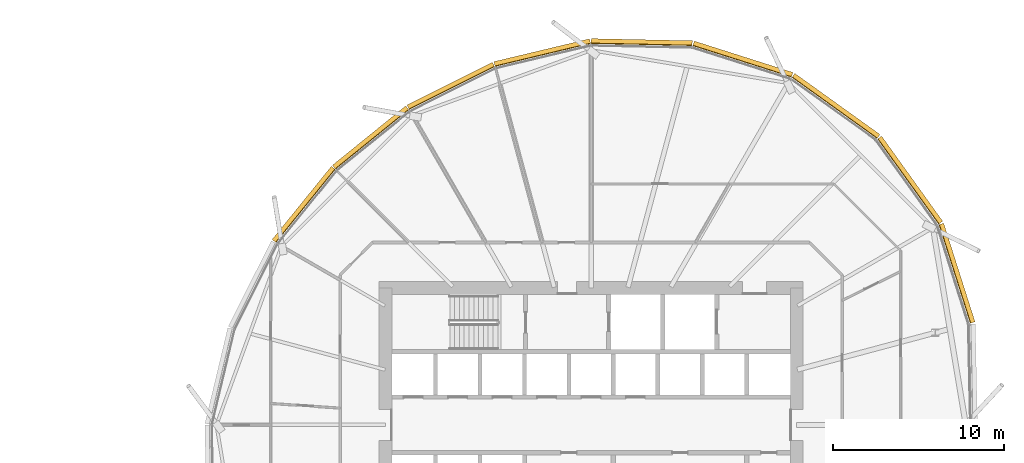
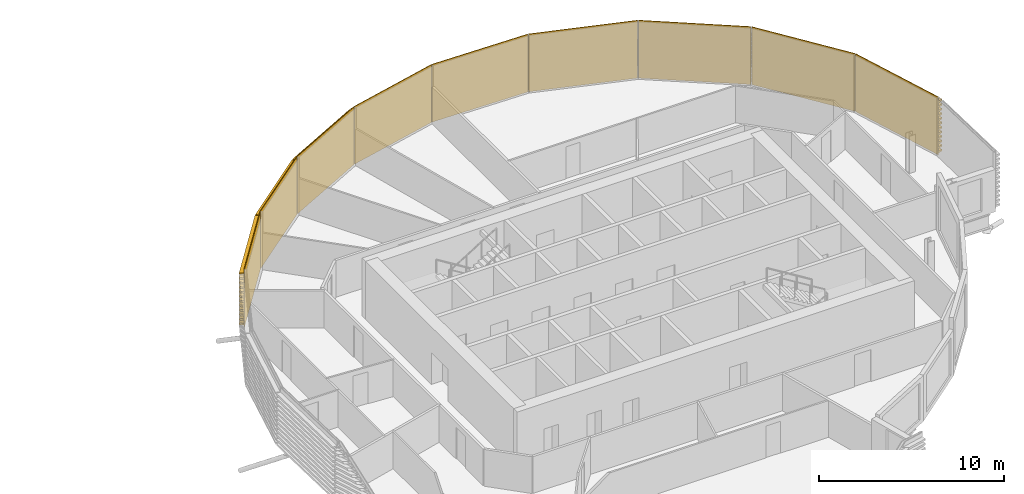
# One storey, part 39 of 39: 9 coverings.
"""IFC4 building model written with IfcOpenShell, lengths in metres."""

import ifcopenshell
import ifcopenshell.guid

model = None  # the IFC model being written
_history = None  # IfcOwnerHistory: only IFC2X3 demands one
_inside = {}  # id of a spatial element -> (the spatial element, [elements in it])
_under = {}  # id of a project, library or spatial element -> (it, [spatial elements below it])
_declared = {}  # id of a project -> (the project, [libraries it declares])
_typed = {}  # id of a type object -> (the type object, [elements of that type])
_made_of = {}  # id of a material, layer set ... -> (it, [elements and type objects made of it])


def new_model(schema):
    """Start an empty IFC model of exactly this schema.

    Asked for "IFC4X3", IfcOpenShell would pick the latest addendum, in which some entities
    have other attributes; the version numbers below select the first issue.
    IFC2X3 requires an IfcOwnerHistory on every rooted entity: one is made here for all.
    """
    global model, _history
    if schema == "IFC4X3":
        model = ifcopenshell.file(schema_version=(4, 3, 0, 0))
    else:
        model = ifcopenshell.file(schema=schema)
    _inside.clear()
    _under.clear()
    _declared.clear()
    _typed.clear()
    _made_of.clear()
    _history = None
    if model.schema == "IFC2X3":
        org = make("IfcOrganization", Name="unknown")
        user = make(
            "IfcPersonAndOrganization",
            ThePerson=make("IfcPerson", FamilyName="unknown"),
            TheOrganization=org,
        )
        app = make(
            "IfcApplication",
            ApplicationDeveloper=org,
            Version="unknown",
            ApplicationFullName="unknown",
            ApplicationIdentifier="unknown",
        )
        _history = make(
            "IfcOwnerHistory",
            OwningUser=user,
            OwningApplication=app,
            ChangeAction="ADDED",
            CreationDate=0,
        )
    return model


def make(cls, **values):
    """One entity of the class cls with the attributes given. An attribute that is None is left unset."""
    return model.create_entity(
        cls, **{name: value for name, value in values.items() if value is not None}
    )


def rooted(cls, **values):
    """An entity with a GlobalId (a new one), such as an element, a storey or a relation."""
    return make(cls, GlobalId=ifcopenshell.guid.new(), OwnerHistory=_history, **values)


def si_unit(unit_type, name, prefix=None):
    """IfcSIUnit, for example si_unit("LENGTHUNIT", "METRE", prefix="MILLI")."""
    return make("IfcSIUnit", UnitType=unit_type, Prefix=prefix, Name=name)


def assignment(units):
    """IfcUnitAssignment: the units of a project."""
    return None if units is None else make("IfcUnitAssignment", Units=units)


def point(xyz):
    """IfcCartesianPoint."""
    return None if xyz is None else make("IfcCartesianPoint", Coordinates=xyz)


def direction(xyz):
    """IfcDirection."""
    return None if xyz is None else make("IfcDirection", DirectionRatios=xyz)


def frame(location, z_axis=None, x_axis=None):
    """IfcAxis2Placement3D, a coordinate frame: its origin and axes. An axis left out is left unset."""
    return make(
        "IfcAxis2Placement3D",
        Location=point(location),
        Axis=direction(z_axis),
        RefDirection=direction(x_axis),
    )


def origin():
    """The frame at (0, 0, 0) with its axes left unset."""
    return frame((0.0, 0.0, 0.0))


def place(relative_to, where):
    """IfcLocalPlacement: puts the frame where relative to a parent placement (None: the world)."""
    return make(
        "IfcLocalPlacement", PlacementRelTo=relative_to, RelativePlacement=where
    )


def context(
    kind, dimensions, precision=None, world=None, true_north=None, identifier=None
):
    """IfcGeometricRepresentationContext, for example the 3D "Model" context."""
    return make(
        "IfcGeometricRepresentationContext",
        ContextIdentifier=identifier,
        ContextType=kind,
        CoordinateSpaceDimension=dimensions,
        Precision=precision,
        WorldCoordinateSystem=world,
        TrueNorth=true_north,
    )


def subcontext(parent, identifier, kind, view, scale=None):
    """IfcGeometricRepresentationSubContext, for example "Body" below "Model"."""
    return make(
        "IfcGeometricRepresentationSubContext",
        ContextIdentifier=identifier,
        ContextType=kind,
        ParentContext=parent,
        TargetScale=scale,
        TargetView=view,
    )


def project(units=None, contexts=None):
    """IfcProject with its units and contexts."""
    return rooted(
        "IfcProject",
        Name="project",
        RepresentationContexts=contexts,
        UnitsInContext=assignment(units),
    )


def spatial(cls, under=None, at=None, **own):
    """A site, building, storey or space (cls), placed at a placement, below another one or the project."""
    s = rooted(cls, ObjectPlacement=at, **own)
    if under is not None:
        _under.setdefault(under.id(), (under, []))[1].append(s)
    return s


def polyline(points):
    """IfcPolyline through the points."""
    return make("IfcPolyline", Points=[point(p) for p in points])


def outline(outer, holes=None, kind="AREA"):
    """IfcArbitraryClosedProfileDef: a profile drawn as a closed curve; with holes, ...WithVoids."""
    if holes is None:
        return make("IfcArbitraryClosedProfileDef", ProfileType=kind, OuterCurve=outer)
    return make(
        "IfcArbitraryProfileDefWithVoids",
        ProfileType=kind,
        OuterCurve=outer,
        InnerCurves=holes,
    )


def extrude(swept, where, along, depth):
    """IfcExtrudedAreaSolid: the profile swept, set in the frame where, extruded along a direction by depth."""
    return make(
        "IfcExtrudedAreaSolid",
        SweptArea=swept,
        Position=where,
        ExtrudedDirection=direction(along),
        Depth=depth,
    )


def shape(context_of_items, identifier, shape_type, items):
    """IfcShapeRepresentation: the items that make up one representation, for example the "Body"."""
    return make(
        "IfcShapeRepresentation",
        ContextOfItems=context_of_items,
        RepresentationIdentifier=identifier,
        RepresentationType=shape_type,
        Items=items,
    )


def material(Name=None, Category=None):
    """IfcMaterial."""
    return make("IfcMaterial", Name=Name, Category=Category)


def material_profile(
    of_material, cross_section, Name=None, Category=None, Priority=None
):
    """IfcMaterialProfile: a cross section and its material."""
    return make(
        "IfcMaterialProfile",
        Name=Name,
        Material=of_material,
        Profile=cross_section,
        Priority=Priority,
        Category=Category,
    )


def profile_set(profiles, Name=None, composite=None):
    """IfcMaterialProfileSet."""
    return make(
        "IfcMaterialProfileSet",
        Name=Name,
        MaterialProfiles=profiles,
        CompositeProfile=composite,
    )


def made_of(thing, what):
    """Note that an element or type object is made of a material, layer set ...; save() writes the relation."""
    if what is not None:
        _made_of.setdefault(what.id(), (what, []))[1].append(thing)
    return thing


def type_object(cls, material=None, **own):
    """A type object (cls), such as IfcWallType, which elements share."""
    return made_of(rooted(cls, **own), material)


def element(
    cls,
    number,
    at=None,
    inside=None,
    cuts=None,
    type_object=None,
    material=None,
    context=None,
    identifier="Body",
    shape_type=None,
    held_by="IfcProductDefinitionShape",
    body=None,
    shapes=None,
    **own,
):
    """One element of the class cls, such as IfcWall. Its Tag is "e" and its number.

    at: its placement. inside: the storey or other place that contains it. cuts: it is an
    opening in that element (IfcRelVoidsElement). A single representation is given by context,
    identifier, shape_type and body (its items); several are given by shapes. held_by: the class
    of the entity that holds the representations. save() writes the other relations.
    """
    e = rooted(cls, Tag="e%d" % number, ObjectPlacement=at, **own)
    if body is not None:
        shapes = [shape(context, identifier, shape_type, body)]
    if shapes is not None:
        e.Representation = make(held_by, Representations=shapes)
    if inside is not None:
        _inside.setdefault(inside.id(), (inside, []))[1].append(e)
    if cuts is not None:
        rooted(
            "IfcRelVoidsElement", RelatingBuildingElement=cuts, RelatedOpeningElement=e
        )
    if type_object is not None:
        _typed.setdefault(type_object.id(), (type_object, []))[1].append(e)
    return made_of(e, material)


def aggregate(whole, parts):
    """IfcRelAggregates: a whole, such as a stair, and the parts it consists of."""
    return rooted("IfcRelAggregates", RelatingObject=whole, RelatedObjects=parts)


def save(model, path):
    """Write the relations noted so far, then the file.

    IfcRelAggregates (storeys below a building ...), IfcRelContainedInSpatialStructure (elements
    in a storey), IfcRelDefinesByType, IfcRelAssociatesMaterial and IfcRelDeclares: one each for
    every whole, place, type object, material and project.
    """
    for whole, parts in _under.values():
        aggregate(whole, parts)
    for where, things in _inside.values():
        rooted(
            "IfcRelContainedInSpatialStructure",
            RelatedElements=things,
            RelatingStructure=where,
        )
    for kind, things in _typed.values():
        rooted("IfcRelDefinesByType", RelatedObjects=things, RelatingType=kind)
    for what, things in _made_of.values():
        rooted("IfcRelAssociatesMaterial", RelatedObjects=things, RelatingMaterial=what)
    for by, libraries in _declared.values():
        rooted("IfcRelDeclares", RelatingContext=by, RelatedDefinitions=libraries)
    model.write(path)


model = new_model("IFC4")

# Units and contexts
model_context = context("Model", 3, precision=1e-05, world=origin(), true_north=direction((0.0, 1.0)))
body_context = subcontext(model_context, "Body", "Model", "MODEL_VIEW")
ifc_project = project(units=[si_unit("LENGTHUNIT", "METRE"), si_unit("AREAUNIT", "SQUARE_METRE"), si_unit("VOLUMEUNIT", "CUBIC_METRE"), si_unit("PLANEANGLEUNIT", "RADIAN"), si_unit("MASSUNIT", "GRAM", prefix="KILO")], contexts=[model_context])

# Site, building, storey
site_placement = place(None, origin())
site = spatial("IfcSite", under=ifc_project, at=site_placement, CompositionType="ELEMENT")
building_placement = place(site_placement, origin())
building = spatial("IfcBuilding", under=site, at=building_placement, Name="Rimbun Link Towers", CompositionType="ELEMENT")
storey_placement = place(building_placement, frame((0.0, 0.0, 100.60009765625)))
storey = spatial("IfcBuildingStorey", under=building, at=storey_placement, Name="L24", CompositionType="ELEMENT", Elevation=100.60009765625)

# Coverings
ifc_material = material(Name="Terracotta", Category="masonry")
ifc_material_profile = material_profile(ifc_material, outline(polyline([(0.123046875, 0.0), (0.1630859375, 0.0), (0.1630859375, 0.10009765625), (0.423095703125, 0.10009765625), (0.423095703125, 0.219970703125), (0.1630859375, 0.219970703125), (0.1630859375, 0.39990234375), (0.423095703125, 0.39990234375), (0.423095703125, 0.52001953125), (0.1630859375, 0.52001953125), (0.1630859375, 0.699951171875), (0.423095703125, 0.699951171875), (0.423095703125, 0.820068359375), (0.1630859375, 0.820068359375), (0.1630859375, 1.0), (0.423095703125, 1.0), (0.423095703125, 1.1201171875), (0.1630859375, 1.1201171875), (0.1630859375, 1.300048828125), (0.423095703125, 1.300048828125), (0.423095703125, 1.419921875), (0.1630859375, 1.419921875), (0.1630859375, 1.60009765625), (0.423095703125, 1.60009765625), (0.423095703125, 1.719970703125), (0.1630859375, 1.719970703125), (0.1630859375, 1.89990234375), (0.423095703125, 1.89990234375), (0.423095703125, 2.02001953125), (0.1630859375, 2.02001953125), (0.1630859375, 2.199951171875), (0.423095703125, 2.199951171875), (0.423095703125, 2.320068359375), (0.1630859375, 2.320068359375), (0.1630859375, 2.5), (0.423095703125, 2.5), (0.423095703125, 2.6201171875), (0.1630859375, 2.6201171875), (0.1630859375, 2.800048828125), (0.423095703125, 2.800048828125), (0.423095703125, 2.919921875), (0.1630859375, 2.919921875), (0.1630859375, 3.10009765625), (0.423095703125, 3.10009765625), (0.423095703125, 3.219970703125), (0.1630859375, 3.219970703125), (0.1630859375, 3.39990234375), (0.423095703125, 3.39990234375), (0.423095703125, 3.52001953125), (0.1630859375, 3.52001953125), (0.1630859375, 3.800048828125), (0.123046875, 3.800048828125), (0.123046875, 0.0)])), Name="BAGUETTE 120X300")
ifc_profile_set = profile_set([ifc_material_profile], Name="Terracotta")
covering_type = type_object("IfcCoveringType", Name="TERRACOTTA BAGUETTE 120X300 H3800", PredefinedType="CLADDING", material=ifc_profile_set)
covering_1_placement = place(storey_placement, frame((43.398193359375, 20.175537109375, 0.0), z_axis=(0.812479009167, -0.582990445602, 0.0), x_axis=(0.582990445602, 0.812479009167, 0.0)))
element("IfcCovering", 1, at=covering_1_placement, inside=storey, type_object=covering_type, Name="TERRACOTTA BAGUETTE", PredefinedType="CLADDING", context=body_context, shape_type="SweptSolid", body=[
    extrude(outline(polyline([(0.123046875, 0.0), (0.1630859375, 0.0), (0.1630859375, 0.10009765625), (0.423095703125, 0.10009765625), (0.423095703125, 0.219970703125), (0.1630859375, 0.219970703125), (0.1630859375, 0.39990234375), (0.423095703125, 0.39990234375), (0.423095703125, 0.52001953125), (0.1630859375, 0.52001953125), (0.1630859375, 0.699951171875), (0.423095703125, 0.699951171875), (0.423095703125, 0.820068359375), (0.1630859375, 0.820068359375), (0.1630859375, 1.0), (0.423095703125, 1.0), (0.423095703125, 1.1201171875), (0.1630859375, 1.1201171875), (0.1630859375, 1.300048828125), (0.423095703125, 1.300048828125), (0.423095703125, 1.419921875), (0.1630859375, 1.419921875), (0.1630859375, 1.60009765625), (0.423095703125, 1.60009765625), (0.423095703125, 1.719970703125), (0.1630859375, 1.719970703125), (0.1630859375, 1.89990234375), (0.423095703125, 1.89990234375), (0.423095703125, 2.02001953125), (0.1630859375, 2.02001953125), (0.1630859375, 2.199951171875), (0.423095703125, 2.199951171875), (0.423095703125, 2.320068359375), (0.1630859375, 2.320068359375), (0.1630859375, 2.5), (0.423095703125, 2.5), (0.423095703125, 2.6201171875), (0.1630859375, 2.6201171875), (0.1630859375, 2.800048828125), (0.423095703125, 2.800048828125), (0.423095703125, 2.919921875), (0.1630859375, 2.919921875), (0.1630859375, 3.10009765625), (0.423095703125, 3.10009765625), (0.423095703125, 3.219970703125), (0.1630859375, 3.219970703125), (0.1630859375, 3.39990234375), (0.423095703125, 3.39990234375), (0.423095703125, 3.52001953125), (0.1630859375, 3.52001953125), (0.1630859375, 3.800048828125), (0.123046875, 3.800048828125), (0.123046875, 0.0)])), origin(), (0.0, 0.0, 1.0), 6.11083984375),
])
covering_2_placement = place(storey_placement, frame((37.646240234375, 22.0048828125, 0.0), z_axis=(0.952965082114, -0.303080108671, 0.0), x_axis=(0.303080108671, 0.952965082114, 0.0)))
element("IfcCovering", 2, at=covering_2_placement, inside=storey, type_object=covering_type, Name="TERRACOTTA BAGUETTE", PredefinedType="CLADDING", context=body_context, shape_type="SweptSolid", body=[
    extrude(outline(polyline([(0.123046875, 0.0), (0.1630859375, 0.0), (0.1630859375, 0.10009765625), (0.423095703125, 0.10009765625), (0.423095703125, 0.219970703125), (0.1630859375, 0.219970703125), (0.1630859375, 0.39990234375), (0.423095703125, 0.39990234375), (0.423095703125, 0.52001953125), (0.1630859375, 0.52001953125), (0.1630859375, 0.699951171875), (0.423095703125, 0.699951171875), (0.423095703125, 0.820068359375), (0.1630859375, 0.820068359375), (0.1630859375, 1.0), (0.423095703125, 1.0), (0.423095703125, 1.1201171875), (0.1630859375, 1.1201171875), (0.1630859375, 1.300048828125), (0.423095703125, 1.300048828125), (0.423095703125, 1.419921875), (0.1630859375, 1.419921875), (0.1630859375, 1.60009765625), (0.423095703125, 1.60009765625), (0.423095703125, 1.719970703125), (0.1630859375, 1.719970703125), (0.1630859375, 1.89990234375), (0.423095703125, 1.89990234375), (0.423095703125, 2.02001953125), (0.1630859375, 2.02001953125), (0.1630859375, 2.199951171875), (0.423095703125, 2.199951171875), (0.423095703125, 2.320068359375), (0.1630859375, 2.320068359375), (0.1630859375, 2.5), (0.423095703125, 2.5), (0.423095703125, 2.6201171875), (0.1630859375, 2.6201171875), (0.1630859375, 2.800048828125), (0.423095703125, 2.800048828125), (0.423095703125, 2.919921875), (0.1630859375, 2.919921875), (0.1630859375, 3.10009765625), (0.423095703125, 3.10009765625), (0.423095703125, 3.219970703125), (0.1630859375, 3.219970703125), (0.1630859375, 3.39990234375), (0.423095703125, 3.39990234375), (0.423095703125, 3.52001953125), (0.1630859375, 3.52001953125), (0.1630859375, 3.800048828125), (0.123046875, 3.800048828125), (0.123046875, 0.0)])), origin(), (0.0, 0.0, 1.0), 6.035888671875),
])
covering_3_placement = place(storey_placement, frame((31.75, 22.12890625, 0.0), z_axis=(0.999778851952, -0.021029674001, 0.0), x_axis=(0.021029674001, 0.999778851952, 0.0)))
element("IfcCovering", 3, at=covering_3_placement, inside=storey, type_object=covering_type, Name="TERRACOTTA BAGUETTE", PredefinedType="CLADDING", context=body_context, shape_type="SweptSolid", body=[
    extrude(outline(polyline([(0.123046875, 0.0), (0.1630859375, 0.0), (0.1630859375, 0.10009765625), (0.423095703125, 0.10009765625), (0.423095703125, 0.219970703125), (0.1630859375, 0.219970703125), (0.1630859375, 0.39990234375), (0.423095703125, 0.39990234375), (0.423095703125, 0.52001953125), (0.1630859375, 0.52001953125), (0.1630859375, 0.699951171875), (0.423095703125, 0.699951171875), (0.423095703125, 0.820068359375), (0.1630859375, 0.820068359375), (0.1630859375, 1.0), (0.423095703125, 1.0), (0.423095703125, 1.1201171875), (0.1630859375, 1.1201171875), (0.1630859375, 1.300048828125), (0.423095703125, 1.300048828125), (0.423095703125, 1.419921875), (0.1630859375, 1.419921875), (0.1630859375, 1.60009765625), (0.423095703125, 1.60009765625), (0.423095703125, 1.719970703125), (0.1630859375, 1.719970703125), (0.1630859375, 1.89990234375), (0.423095703125, 1.89990234375), (0.423095703125, 2.02001953125), (0.1630859375, 2.02001953125), (0.1630859375, 2.199951171875), (0.423095703125, 2.199951171875), (0.423095703125, 2.320068359375), (0.1630859375, 2.320068359375), (0.1630859375, 2.5), (0.423095703125, 2.5), (0.423095703125, 2.6201171875), (0.1630859375, 2.6201171875), (0.1630859375, 2.800048828125), (0.423095703125, 2.800048828125), (0.423095703125, 2.919921875), (0.1630859375, 2.919921875), (0.1630859375, 3.10009765625), (0.423095703125, 3.10009765625), (0.423095703125, 3.219970703125), (0.1630859375, 3.219970703125), (0.1630859375, 3.39990234375), (0.423095703125, 3.39990234375), (0.423095703125, 3.52001953125), (0.1630859375, 3.52001953125), (0.1630859375, 3.800048828125), (0.123046875, 3.800048828125), (0.123046875, 0.0)])), origin(), (0.0, 0.0, 1.0), 5.8974609375),
])
covering_4_placement = place(storey_placement, frame((26.177490234375, 20.79638671875, 0.0), z_axis=(0.972580358329, 0.23256707977, 0.0), x_axis=(-0.23256707977, 0.972580358329, 0.0)))
element("IfcCovering", 4, at=covering_4_placement, inside=storey, type_object=covering_type, Name="TERRACOTTA BAGUETTE", PredefinedType="CLADDING", context=body_context, shape_type="SweptSolid", body=[
    extrude(outline(polyline([(0.123046875, 0.0), (0.1630859375, 0.0), (0.1630859375, 0.10009765625), (0.423095703125, 0.10009765625), (0.423095703125, 0.219970703125), (0.1630859375, 0.219970703125), (0.1630859375, 0.39990234375), (0.423095703125, 0.39990234375), (0.423095703125, 0.52001953125), (0.1630859375, 0.52001953125), (0.1630859375, 0.699951171875), (0.423095703125, 0.699951171875), (0.423095703125, 0.820068359375), (0.1630859375, 0.820068359375), (0.1630859375, 1.0), (0.423095703125, 1.0), (0.423095703125, 1.1201171875), (0.1630859375, 1.1201171875), (0.1630859375, 1.300048828125), (0.423095703125, 1.300048828125), (0.423095703125, 1.419921875), (0.1630859375, 1.419921875), (0.1630859375, 1.60009765625), (0.423095703125, 1.60009765625), (0.423095703125, 1.719970703125), (0.1630859375, 1.719970703125), (0.1630859375, 1.89990234375), (0.423095703125, 1.89990234375), (0.423095703125, 2.02001953125), (0.1630859375, 2.02001953125), (0.1630859375, 2.199951171875), (0.423095703125, 2.199951171875), (0.423095703125, 2.320068359375), (0.1630859375, 2.320068359375), (0.1630859375, 2.5), (0.423095703125, 2.5), (0.423095703125, 2.6201171875), (0.1630859375, 2.6201171875), (0.1630859375, 2.800048828125), (0.423095703125, 2.800048828125), (0.423095703125, 2.919921875), (0.1630859375, 2.919921875), (0.1630859375, 3.10009765625), (0.423095703125, 3.10009765625), (0.423095703125, 3.219970703125), (0.1630859375, 3.219970703125), (0.1630859375, 3.39990234375), (0.423095703125, 3.39990234375), (0.423095703125, 3.52001953125), (0.1630859375, 3.52001953125), (0.1630859375, 3.800048828125), (0.123046875, 3.800048828125), (0.123046875, 0.0)])), origin(), (0.0, 0.0, 1.0), 5.7294921875),
])
covering_5_placement = place(storey_placement, frame((21.189453125, 18.291259765625, 0.0), z_axis=(0.893629725807, 0.448804983432, 0.0), x_axis=(-0.448804983432, 0.893629725807, 0.0)))
element("IfcCovering", 5, at=covering_5_placement, inside=storey, type_object=covering_type, Name="TERRACOTTA BAGUETTE", PredefinedType="CLADDING", context=body_context, shape_type="SweptSolid", body=[
    extrude(outline(polyline([(0.123046875, 0.0), (0.1630859375, 0.0), (0.1630859375, 0.10009765625), (0.423095703125, 0.10009765625), (0.423095703125, 0.219970703125), (0.1630859375, 0.219970703125), (0.1630859375, 0.39990234375), (0.423095703125, 0.39990234375), (0.423095703125, 0.52001953125), (0.1630859375, 0.52001953125), (0.1630859375, 0.699951171875), (0.423095703125, 0.699951171875), (0.423095703125, 0.820068359375), (0.1630859375, 0.820068359375), (0.1630859375, 1.0), (0.423095703125, 1.0), (0.423095703125, 1.1201171875), (0.1630859375, 1.1201171875), (0.1630859375, 1.300048828125), (0.423095703125, 1.300048828125), (0.423095703125, 1.419921875), (0.1630859375, 1.419921875), (0.1630859375, 1.60009765625), (0.423095703125, 1.60009765625), (0.423095703125, 1.719970703125), (0.1630859375, 1.719970703125), (0.1630859375, 1.89990234375), (0.423095703125, 1.89990234375), (0.423095703125, 2.02001953125), (0.1630859375, 2.02001953125), (0.1630859375, 2.199951171875), (0.423095703125, 2.199951171875), (0.423095703125, 2.320068359375), (0.1630859375, 2.320068359375), (0.1630859375, 2.5), (0.423095703125, 2.5), (0.423095703125, 2.6201171875), (0.1630859375, 2.6201171875), (0.1630859375, 2.800048828125), (0.423095703125, 2.800048828125), (0.423095703125, 2.919921875), (0.1630859375, 2.919921875), (0.1630859375, 3.10009765625), (0.423095703125, 3.10009765625), (0.423095703125, 3.219970703125), (0.1630859375, 3.219970703125), (0.1630859375, 3.39990234375), (0.423095703125, 3.39990234375), (0.423095703125, 3.52001953125), (0.1630859375, 3.52001953125), (0.1630859375, 3.800048828125), (0.123046875, 3.800048828125), (0.123046875, 0.0)])), origin(), (0.0, 0.0, 1.0), 5.581787109375),
])
for number, where, z_axis, x_axis, name in (
    (6, (16.9169921875, 14.8330078125, 0.0), (0.777281071553, 0.629153507346, 0.0), (-0.629153507346, 0.777281071553, 0.0), "TERRACOTTA BAGUETTE"),
    (7, (13.458740234375, 10.560546875, 0.0), (0.629153507346, 0.777281071553, 0.0), (-0.777281071553, 0.629153507346, 0.0), "TERRACOTTA BAGUETTE"),
):
    element("IfcCovering", number, at=place(storey_placement, frame(where, z_axis=z_axis, x_axis=x_axis)), inside=storey, type_object=covering_type, Name=name, PredefinedType="CLADDING", context=body_context, shape_type="SweptSolid", body=[
        extrude(outline(polyline([(0.123046875, 0.0), (0.1630859375, 0.0), (0.1630859375, 0.10009765625), (0.423095703125, 0.10009765625), (0.423095703125, 0.219970703125), (0.1630859375, 0.219970703125), (0.1630859375, 0.39990234375), (0.423095703125, 0.39990234375), (0.423095703125, 0.52001953125), (0.1630859375, 0.52001953125), (0.1630859375, 0.699951171875), (0.423095703125, 0.699951171875), (0.423095703125, 0.820068359375), (0.1630859375, 0.820068359375), (0.1630859375, 1.0), (0.423095703125, 1.0), (0.423095703125, 1.1201171875), (0.1630859375, 1.1201171875), (0.1630859375, 1.300048828125), (0.423095703125, 1.300048828125), (0.423095703125, 1.419921875), (0.1630859375, 1.419921875), (0.1630859375, 1.60009765625), (0.423095703125, 1.60009765625), (0.423095703125, 1.719970703125), (0.1630859375, 1.719970703125), (0.1630859375, 1.89990234375), (0.423095703125, 1.89990234375), (0.423095703125, 2.02001953125), (0.1630859375, 2.02001953125), (0.1630859375, 2.199951171875), (0.423095703125, 2.199951171875), (0.423095703125, 2.320068359375), (0.1630859375, 2.320068359375), (0.1630859375, 2.5), (0.423095703125, 2.5), (0.423095703125, 2.6201171875), (0.1630859375, 2.6201171875), (0.1630859375, 2.800048828125), (0.423095703125, 2.800048828125), (0.423095703125, 2.919921875), (0.1630859375, 2.919921875), (0.1630859375, 3.10009765625), (0.423095703125, 3.10009765625), (0.423095703125, 3.219970703125), (0.1630859375, 3.219970703125), (0.1630859375, 3.39990234375), (0.423095703125, 3.39990234375), (0.423095703125, 3.52001953125), (0.1630859375, 3.52001953125), (0.1630859375, 3.800048828125), (0.123046875, 3.800048828125), (0.123046875, 0.0)])), origin(), (0.0, 0.0, 1.0), 5.49658203125),
    ])
covering_6_placement = place(storey_placement, frame((51.925537109375, 11.648193359375, 0.0), z_axis=(0.303080108671, -0.952965082114, 0.0), x_axis=(0.952965082114, 0.303080108671, 0.0)))
element("IfcCovering", 8, at=covering_6_placement, inside=storey, type_object=covering_type, Name="TERRACOTTA BAGUETTE", PredefinedType="CLADDING", context=body_context, shape_type="SweptSolid", body=[
    extrude(outline(polyline([(0.123046875, 0.0), (0.1630859375, 0.0), (0.1630859375, 0.10009765625), (0.423095703125, 0.10009765625), (0.423095703125, 0.219970703125), (0.1630859375, 0.219970703125), (0.1630859375, 0.39990234375), (0.423095703125, 0.39990234375), (0.423095703125, 0.52001953125), (0.1630859375, 0.52001953125), (0.1630859375, 0.699951171875), (0.423095703125, 0.699951171875), (0.423095703125, 0.820068359375), (0.1630859375, 0.820068359375), (0.1630859375, 1.0), (0.423095703125, 1.0), (0.423095703125, 1.1201171875), (0.1630859375, 1.1201171875), (0.1630859375, 1.300048828125), (0.423095703125, 1.300048828125), (0.423095703125, 1.419921875), (0.1630859375, 1.419921875), (0.1630859375, 1.60009765625), (0.423095703125, 1.60009765625), (0.423095703125, 1.719970703125), (0.1630859375, 1.719970703125), (0.1630859375, 1.89990234375), (0.423095703125, 1.89990234375), (0.423095703125, 2.02001953125), (0.1630859375, 2.02001953125), (0.1630859375, 2.199951171875), (0.423095703125, 2.199951171875), (0.423095703125, 2.320068359375), (0.1630859375, 2.320068359375), (0.1630859375, 2.5), (0.423095703125, 2.5), (0.423095703125, 2.6201171875), (0.1630859375, 2.6201171875), (0.1630859375, 2.800048828125), (0.423095703125, 2.800048828125), (0.423095703125, 2.919921875), (0.1630859375, 2.919921875), (0.1630859375, 3.10009765625), (0.423095703125, 3.10009765625), (0.423095703125, 3.219970703125), (0.1630859375, 3.219970703125), (0.1630859375, 3.39990234375), (0.423095703125, 3.39990234375), (0.423095703125, 3.52001953125), (0.1630859375, 3.52001953125), (0.1630859375, 3.800048828125), (0.123046875, 3.800048828125), (0.123046875, 0.0)])), origin(), (0.0, 0.0, 1.0), 6.035888671875),
])
covering_7_placement = place(storey_placement, frame((48.363037109375, 16.613037109375, 0.0), z_axis=(0.582990445602, -0.812479009167, 0.0), x_axis=(0.812479009167, 0.582990445602, 0.0)))
element("IfcCovering", 9, at=covering_7_placement, inside=storey, type_object=covering_type, Name="TERRACOTTA BAGUETTE", PredefinedType="CLADDING", context=body_context, shape_type="SweptSolid", body=[
    extrude(outline(polyline([(0.123046875, 0.0), (0.1630859375, 0.0), (0.1630859375, 0.10009765625), (0.423095703125, 0.10009765625), (0.423095703125, 0.219970703125), (0.1630859375, 0.219970703125), (0.1630859375, 0.39990234375), (0.423095703125, 0.39990234375), (0.423095703125, 0.52001953125), (0.1630859375, 0.52001953125), (0.1630859375, 0.699951171875), (0.423095703125, 0.699951171875), (0.423095703125, 0.820068359375), (0.1630859375, 0.820068359375), (0.1630859375, 1.0), (0.423095703125, 1.0), (0.423095703125, 1.1201171875), (0.1630859375, 1.1201171875), (0.1630859375, 1.300048828125), (0.423095703125, 1.300048828125), (0.423095703125, 1.419921875), (0.1630859375, 1.419921875), (0.1630859375, 1.60009765625), (0.423095703125, 1.60009765625), (0.423095703125, 1.719970703125), (0.1630859375, 1.719970703125), (0.1630859375, 1.89990234375), (0.423095703125, 1.89990234375), (0.423095703125, 2.02001953125), (0.1630859375, 2.02001953125), (0.1630859375, 2.199951171875), (0.423095703125, 2.199951171875), (0.423095703125, 2.320068359375), (0.1630859375, 2.320068359375), (0.1630859375, 2.5), (0.423095703125, 2.5), (0.423095703125, 2.6201171875), (0.1630859375, 2.6201171875), (0.1630859375, 2.800048828125), (0.423095703125, 2.800048828125), (0.423095703125, 2.919921875), (0.1630859375, 2.919921875), (0.1630859375, 3.10009765625), (0.423095703125, 3.10009765625), (0.423095703125, 3.219970703125), (0.1630859375, 3.219970703125), (0.1630859375, 3.39990234375), (0.423095703125, 3.39990234375), (0.423095703125, 3.52001953125), (0.1630859375, 3.52001953125), (0.1630859375, 3.800048828125), (0.123046875, 3.800048828125), (0.123046875, 0.0)])), origin(), (0.0, 0.0, 1.0), 6.11083984375),
])

save(model, "model.ifc")
